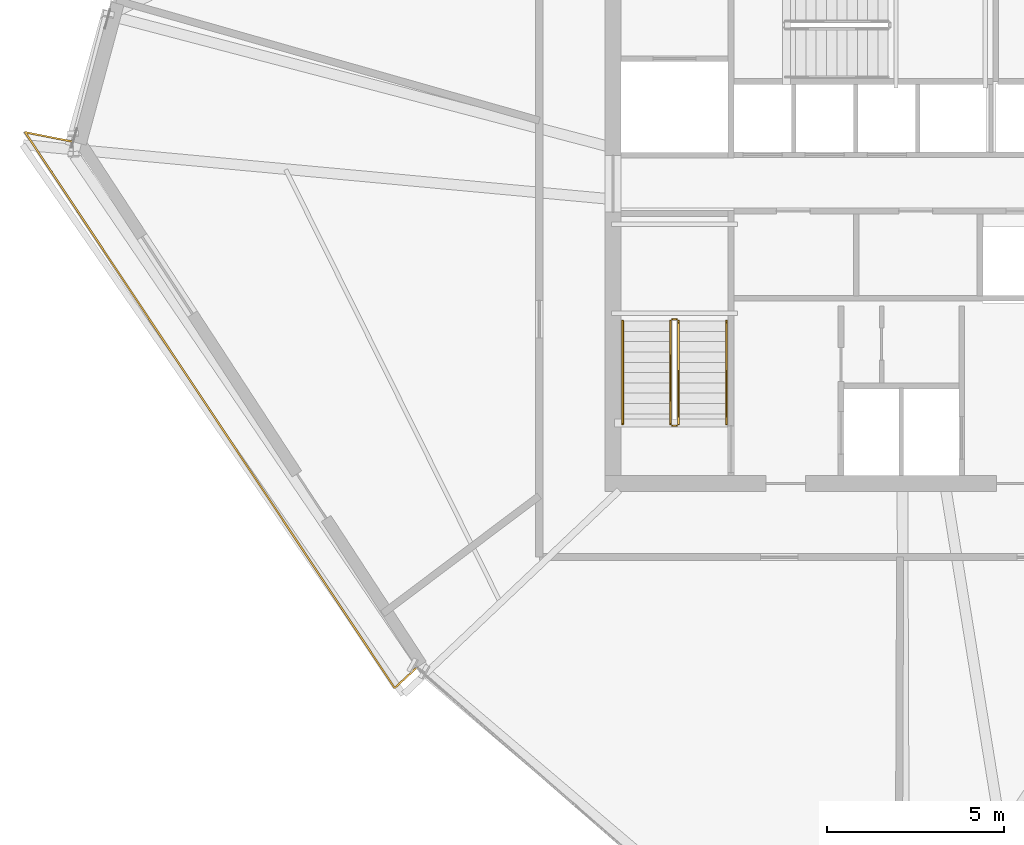
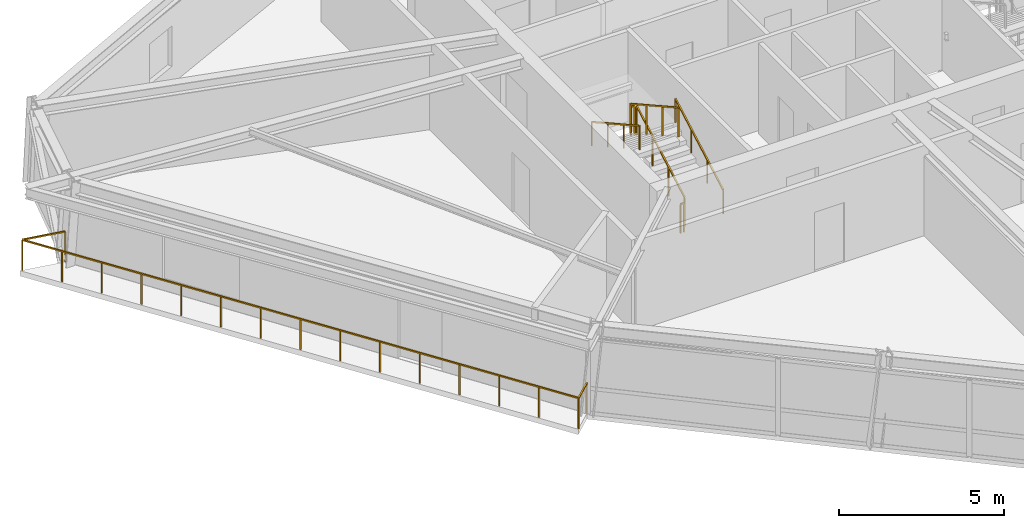
# One storey, part 11 of 13: 7 railings.
"""IFC4 building model written with IfcOpenShell, lengths in metres."""

from ifc_helpers import new_model, si_unit, direction, frame, origin, origin_2d, place, context, subcontext, project, spatial, rectangle, extrude, material, type_object, element, save


model = new_model("IFC4")

# Units and contexts
model_context = context("Model", 3, precision=1e-05, world=origin(), true_north=direction((0.0, 1.0)))
body_context = subcontext(model_context, "Body", "Model", "MODEL_VIEW")
ifc_project = project(units=[si_unit("LENGTHUNIT", "METRE"), si_unit("AREAUNIT", "SQUARE_METRE"), si_unit("VOLUMEUNIT", "CUBIC_METRE"), si_unit("PLANEANGLEUNIT", "RADIAN"), si_unit("MASSUNIT", "GRAM", prefix="KILO")], contexts=[model_context])

# Site, building, storey
site_placement = place(None, origin())
site = spatial("IfcSite", under=ifc_project, at=site_placement, CompositionType="ELEMENT")
building_placement = place(site_placement, origin())
building = spatial("IfcBuilding", under=site, at=building_placement, Name="Olszyna Solenne Hotel", CompositionType="ELEMENT")
storey_placement = place(building_placement, frame((0.0, 0.0, 209.60009765625)))
storey = spatial("IfcBuildingStorey", under=building, at=storey_placement, Name="L55", CompositionType="ELEMENT", Elevation=209.60009765625)

# Railings
ifc_material_1 = material(Name="Anodised bronze aluminium", Category="aluminium")
railing_type_1 = type_object("IfcRailingType", Name="GR-110", PredefinedType="BALUSTRADE", material=ifc_material_1)
railing_1_placement = place(storey_placement, frame((14.668701171875, 28.902099609375, 0.0)))
element("IfcRailing", 1, at=railing_1_placement, inside=storey, type_object=railing_type_1, Name="Loggia balcony balustrade guard GR-L55-LG2", PredefinedType="BALUSTRADE", context=body_context, shape_type="SweptSolid", body=[
    extrude(rectangle(XDim=0.048095703125, YDim=0.048095703125, at=origin_2d()), frame((0.0, 0.0, 1.1259765625), z_axis=(-0.981141661658, 0.193290040507, 0.0), x_axis=(-0.193290040507, -0.981141661658, 0.0)), (0.0, 0.0, 1.0), 1.37939453125),
    extrude(rectangle(XDim=0.048095703125, YDim=0.048095703125, at=origin_2d()), frame((-1.353271484375, 0.2666015625, 1.1259765625), z_axis=(0.553746818832, -0.832685090916, 0.0), x_axis=(0.832685090916, 0.553746818832, 0.0)), (0.0, 0.0, 1.0), 18.799560546875),
    extrude(rectangle(XDim=0.048095703125, YDim=0.048095703125, at=origin_2d()), frame((9.056884765625, -15.387451171875, 1.1259765625), z_axis=(0.734825574815, 0.678256127579, 0.0), x_axis=(-0.678256127579, 0.734825574815, 0.0)), (0.0, 0.0, 1.0), 0.845947265625),
    extrude(rectangle(XDim=0.0419921875, YDim=0.0419921875, at=origin_2d()), origin(), (0.0, 0.0, 1.0), 1.101806640625),
    extrude(rectangle(XDim=0.0419921875, YDim=0.0419921875, at=origin_2d()), frame((-1.353271484375, 0.2666015625, 0.0)), (0.0, 0.0, 1.0), 1.101806640625),
    extrude(rectangle(XDim=0.0419921875, YDim=0.0419921875, at=origin_2d()), frame((-0.609619140625, -0.8515625, 0.0)), (0.0, 0.0, 1.0), 1.101806640625),
    extrude(rectangle(XDim=0.0419921875, YDim=0.0419921875, at=origin_2d()), frame((0.1337890625, -1.9697265625, 0.0)), (0.0, 0.0, 1.0), 1.101806640625),
    extrude(rectangle(XDim=0.0419921875, YDim=0.0419921875, at=origin_2d()), frame((0.87744140625, -3.087890625, 0.0)), (0.0, 0.0, 1.0), 1.101806640625),
    extrude(rectangle(XDim=0.0419921875, YDim=0.0419921875, at=origin_2d()), frame((1.62109375, -4.2060546875, 0.0)), (0.0, 0.0, 1.0), 1.101806640625),
    extrude(rectangle(XDim=0.0419921875, YDim=0.0419921875, at=origin_2d()), frame((2.36474609375, -5.32421875, 0.0)), (0.0, 0.0, 1.0), 1.101806640625),
    extrude(rectangle(XDim=0.0419921875, YDim=0.0419921875, at=origin_2d()), frame((3.108154296875, -6.4423828125, 0.0)), (0.0, 0.0, 1.0), 1.101806640625),
    extrude(rectangle(XDim=0.0419921875, YDim=0.0419921875, at=origin_2d()), frame((3.851806640625, -7.560546875, 0.0)), (0.0, 0.0, 1.0), 1.101806640625),
    extrude(rectangle(XDim=0.0419921875, YDim=0.0419921875, at=origin_2d()), frame((4.595458984375, -8.678466796875, 0.0)), (0.0, 0.0, 1.0), 1.101806640625),
    extrude(rectangle(XDim=0.0419921875, YDim=0.0419921875, at=origin_2d()), frame((5.3388671875, -9.796630859375, 0.0)), (0.0, 0.0, 1.0), 1.101806640625),
    extrude(rectangle(XDim=0.0419921875, YDim=0.0419921875, at=origin_2d()), frame((6.08251953125, -10.914794921875, 0.0)), (0.0, 0.0, 1.0), 1.101806640625),
    extrude(rectangle(XDim=0.0419921875, YDim=0.0419921875, at=origin_2d()), frame((6.826171875, -12.032958984375, 0.0)), (0.0, 0.0, 1.0), 1.101806640625),
    extrude(rectangle(XDim=0.0419921875, YDim=0.0419921875, at=origin_2d()), frame((7.56982421875, -13.151123046875, 0.0)), (0.0, 0.0, 1.0), 1.101806640625),
    extrude(rectangle(XDim=0.0419921875, YDim=0.0419921875, at=origin_2d()), frame((8.313232421875, -14.269287109375, 0.0)), (0.0, 0.0, 1.0), 1.101806640625),
    extrude(rectangle(XDim=0.0419921875, YDim=0.0419921875, at=origin_2d()), frame((9.056884765625, -15.387451171875, 0.0)), (0.0, 0.0, 1.0), 1.101806640625),
    extrude(rectangle(XDim=0.0419921875, YDim=0.0419921875, at=origin_2d()), frame((9.678466796875, -14.813720703125, 0.0)), (0.0, 0.0, 1.0), 1.101806640625),
])
railing_2_placement = place(storey_placement, frame((31.719970703125, 20.949951171875, 0.161376953125)))
element("IfcRailing", 2, at=railing_2_placement, inside=storey, type_object=railing_type_1, Name="L55 ST1 stair guard 1", PredefinedType="BALUSTRADE", context=body_context, shape_type="SweptSolid", body=[
    extrude(rectangle(XDim=0.048095703125, YDim=0.048095703125, at=origin_2d()), frame((0.0, 0.0, 1.076171875), z_axis=(0.0, 0.873858693841, 0.486179990537), x_axis=(-1.0, 0.0, 0.0)), (0.0, 0.0, 1.0), 3.31884765625),
    extrude(rectangle(XDim=0.0419921875, YDim=0.0419921875, at=origin_2d()), origin(), (0.0, 0.0, 1.0), 1.052001953125),
    extrude(rectangle(XDim=0.0419921875, YDim=0.0419921875, at=origin_2d()), frame((0.0, 0.966796875, 0.537841796875)), (0.0, 0.0, 1.0), 1.052001953125),
    extrude(rectangle(XDim=0.0419921875, YDim=0.0419921875, at=origin_2d()), frame((0.0, 1.933349609375, 1.07568359375)), (0.0, 0.0, 1.0), 1.052001953125),
    extrude(rectangle(XDim=0.0419921875, YDim=0.0419921875, at=origin_2d()), frame((0.0, 2.900146484375, 1.613525390625)), (0.0, 0.0, 1.0), 1.052001953125),
])
railing_3_placement = place(storey_placement, frame((31.669921875, 23.89990234375, 1.77490234375)))
element("IfcRailing", 3, at=railing_3_placement, inside=storey, type_object=railing_type_1, Name="L55 ST1 stair guard 2", PredefinedType="BALUSTRADE", context=body_context, shape_type="SweptSolid", body=[
    extrude(rectangle(XDim=0.048095703125, YDim=0.048095703125, at=origin_2d()), frame((0.0, 0.0, 1.076171875), z_axis=(-1.0, 0.0, 0.0), x_axis=(0.0, -1.0, 0.0)), (0.0, 0.0, 1.0), 0.119873046875),
    extrude(rectangle(XDim=0.0419921875, YDim=0.0419921875, at=origin_2d()), origin(), (0.0, 0.0, 1.0), 1.052001953125),
    extrude(rectangle(XDim=0.0419921875, YDim=0.0419921875, at=origin_2d()), frame((-0.119873046875, 0.0, 0.0)), (0.0, 0.0, 1.0), 1.052001953125),
])
railing_4_placement = place(storey_placement, frame((31.5, 23.85009765625, 1.936279296875)))
element("IfcRailing", 4, at=railing_4_placement, inside=storey, type_object=railing_type_1, Name="L55 ST1 stair guard 3", PredefinedType="BALUSTRADE", context=body_context, shape_type="SweptSolid", body=[
    extrude(rectangle(XDim=0.048095703125, YDim=0.048095703125, at=origin_2d()), frame((0.0, 0.0, 1.076171875), z_axis=(0.0, -0.873858693841, 0.486179990537), x_axis=(1.0, 0.0, 0.0)), (0.0, 0.0, 1.0), 3.31884765625),
    extrude(rectangle(XDim=0.0419921875, YDim=0.0419921875, at=origin_2d()), origin(), (0.0, 0.0, 1.0), 1.052001953125),
    extrude(rectangle(XDim=0.0419921875, YDim=0.0419921875, at=origin_2d()), frame((0.0, -0.966796875, 0.537841796875)), (0.0, 0.0, 1.0), 1.052001953125),
    extrude(rectangle(XDim=0.0419921875, YDim=0.0419921875, at=origin_2d()), frame((0.0, -1.933349609375, 1.07568359375)), (0.0, 0.0, 1.0), 1.052001953125),
    extrude(rectangle(XDim=0.0419921875, YDim=0.0419921875, at=origin_2d()), frame((0.0, -2.900146484375, 1.613525390625)), (0.0, 0.0, 1.0), 1.052001953125),
])
railing_5_placement = place(storey_placement, frame((31.669921875, 20.89990234375, 0.0)))
element("IfcRailing", 5, at=railing_5_placement, inside=storey, type_object=railing_type_1, Name="L55 ST1 stair guard 4", PredefinedType="BALUSTRADE", context=body_context, shape_type="SweptSolid", body=[
    extrude(rectangle(XDim=0.048095703125, YDim=0.048095703125, at=origin_2d()), frame((0.0, 0.0, 1.076171875), z_axis=(-1.0, 0.0, 0.0), x_axis=(0.0, -1.0, 0.0)), (0.0, 0.0, 1.0), 0.119873046875),
    extrude(rectangle(XDim=0.0419921875, YDim=0.0419921875, at=origin_2d()), origin(), (0.0, 0.0, 1.0), 1.052001953125),
    extrude(rectangle(XDim=0.0419921875, YDim=0.0419921875, at=origin_2d()), frame((-0.119873046875, 0.0, 0.0)), (0.0, 0.0, 1.0), 1.052001953125),
])
ifc_material_2 = material(Name="Steel S355J2", Category="steel")
railing_type_2 = type_object("IfcRailingType", Name="HR-090", PredefinedType="HANDRAIL", material=ifc_material_2)
railing_6_placement = place(storey_placement, frame((33.070068359375, 20.949951171875, 0.161376953125)))
element("IfcRailing", 6, at=railing_6_placement, inside=storey, type_object=railing_type_2, Name="L55 ST1 stair handrail 1", PredefinedType="HANDRAIL", context=body_context, shape_type="SweptSolid", body=[
    extrude(rectangle(XDim=0.048095703125, YDim=0.048095703125, at=origin_2d()), frame((0.0, 0.0, 0.8759765625), z_axis=(0.0, 0.873858693841, 0.486179990537), x_axis=(-1.0, 0.0, 0.0)), (0.0, 0.0, 1.0), 3.31884765625),
    extrude(rectangle(XDim=0.0419921875, YDim=0.0419921875, at=origin_2d()), origin(), (0.0, 0.0, 1.0), 0.851806640625),
    extrude(rectangle(XDim=0.0419921875, YDim=0.0419921875, at=origin_2d()), frame((0.0, 0.966796875, 0.537841796875)), (0.0, 0.0, 1.0), 0.851806640625),
    extrude(rectangle(XDim=0.0419921875, YDim=0.0419921875, at=origin_2d()), frame((0.0, 1.933349609375, 1.07568359375)), (0.0, 0.0, 1.0), 0.851806640625),
    extrude(rectangle(XDim=0.0419921875, YDim=0.0419921875, at=origin_2d()), frame((0.0, 2.900146484375, 1.613525390625)), (0.0, 0.0, 1.0), 0.851806640625),
])
railing_7_placement = place(storey_placement, frame((30.14990234375, 23.85009765625, 1.936279296875)))
element("IfcRailing", 7, at=railing_7_placement, inside=storey, type_object=railing_type_2, Name="L55 ST1 stair handrail 2", PredefinedType="HANDRAIL", context=body_context, shape_type="SweptSolid", body=[
    extrude(rectangle(XDim=0.048095703125, YDim=0.048095703125, at=origin_2d()), frame((0.0, 0.0, 0.8759765625), z_axis=(0.0, -0.873858693841, 0.486179990537), x_axis=(1.0, 0.0, 0.0)), (0.0, 0.0, 1.0), 3.31884765625),
    extrude(rectangle(XDim=0.0419921875, YDim=0.0419921875, at=origin_2d()), origin(), (0.0, 0.0, 1.0), 0.851806640625),
    extrude(rectangle(XDim=0.0419921875, YDim=0.0419921875, at=origin_2d()), frame((0.0, -0.966796875, 0.537841796875)), (0.0, 0.0, 1.0), 0.851806640625),
    extrude(rectangle(XDim=0.0419921875, YDim=0.0419921875, at=origin_2d()), frame((0.0, -1.933349609375, 1.07568359375)), (0.0, 0.0, 1.0), 0.851806640625),
    extrude(rectangle(XDim=0.0419921875, YDim=0.0419921875, at=origin_2d()), frame((0.0, -2.900146484375, 1.613525390625)), (0.0, 0.0, 1.0), 0.851806640625),
])

save(model, "model.ifc")
